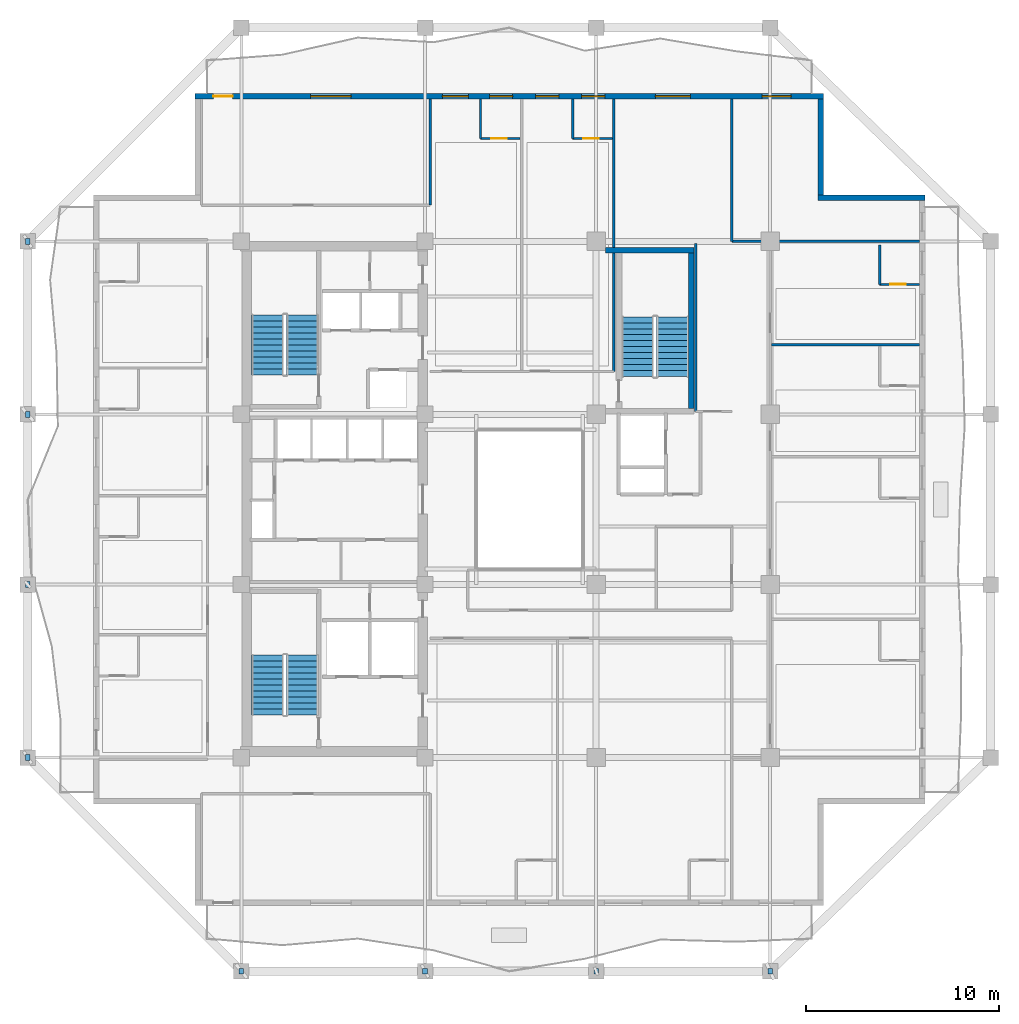
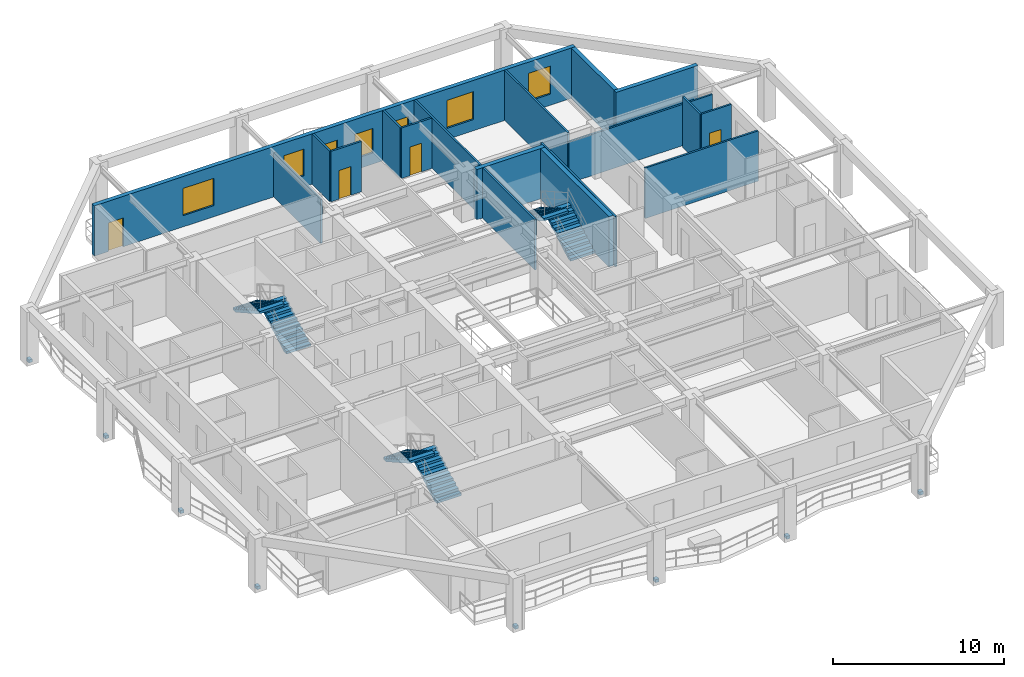
# One storey, part 7 of 13: 17 walls, 8 discrete accessories, 7 windows, 6 stair flights, 4 doors, 11 openings, 3 elements without a shape of their own.
"""IFC4 building model written with IfcOpenShell, lengths in metres."""

from ifc_helpers import new_model, si_unit, direction, frame, frame_2d, origin, origin_2d, place, context, subcontext, project, spatial, polyline, rectangle, outline, extrude, material, layer, layer_set, type_object, element, fill, aggregate, save


model = new_model("IFC4")

# Units and contexts
model_context = context("Model", 3, precision=1e-05, world=origin(), true_north=direction((0.0, 1.0)))
body_context = subcontext(model_context, "Body", "Model", "MODEL_VIEW")
ifc_project = project(units=[si_unit("LENGTHUNIT", "METRE"), si_unit("AREAUNIT", "SQUARE_METRE"), si_unit("VOLUMEUNIT", "CUBIC_METRE"), si_unit("PLANEANGLEUNIT", "RADIAN"), si_unit("MASSUNIT", "GRAM", prefix="KILO")], contexts=[model_context])

# Site, building, storey
site_placement = place(None, origin())
site = spatial("IfcSite", under=ifc_project, at=site_placement, CompositionType="ELEMENT")
building_placement = place(site_placement, origin())
building = spatial("IfcBuilding", under=site, at=building_placement, Name="Kundavana Baori Tower", CompositionType="ELEMENT")
storey_placement = place(building_placement, frame((0.0, 0.0, 165.60009765625)))
storey = spatial("IfcBuildingStorey", under=building, at=storey_placement, Name="L40", CompositionType="ELEMENT", Elevation=165.60009765625)

# Walls
ifc_material_1 = material(Name="Red-Buff Dholpur Sandstone Cladding on Concrete C40/50", Category="masonry")
ifc_layer_1 = layer(ifc_material_1, 0.280029296875, Name="WL-EXT-SAND-280")
ifc_layer_set_1 = layer_set([ifc_layer_1], Name="Red-Buff Dholpur Sandstone Cladding on Concrete C40/50")
wall_type_1 = type_object("IfcWallType", Name="WL-EXT-SAND-280", PredefinedType="STANDARD", material=ifc_layer_set_1)
wall_1_placement = place(storey_placement, frame((50.800048828125, 44.2099609375, 0.0), z_axis=(0.0, 0.0, 1.0), x_axis=(-1.0, 0.0, 0.0)))
element("IfcWall", 1, at=wall_1_placement, inside=storey, type_object=wall_type_1, Name="L40 Exterior Insulated Facade Wall 05", PredefinedType="STANDARD", context=body_context, shape_type="SweptSolid", body=[
    extrude(rectangle(XDim=5.530029296875, YDim=0.280029296875, at=frame_2d((2.76513671875, 0.0))), origin(), (0.0, 0.0, 1.0), 3.599853515625),
])
wall_2_placement = place(storey_placement, frame((45.409912109375, 44.35009765625, 0.0), z_axis=(0.0, 0.0, 1.0), x_axis=(0.0, 1.0, 0.0)))
element("IfcWall", 2, at=wall_2_placement, inside=storey, type_object=wall_type_1, Name="L40 Exterior Insulated Facade Wall 06", PredefinedType="STANDARD", context=body_context, shape_type="SweptSolid", body=[
    extrude(rectangle(XDim=4.969970703125, YDim=0.280029296875, at=frame_2d((2.48486328125, 0.0))), origin(), (0.0, 0.0, 1.0), 3.599853515625),
])

# Wall, openings, door, windows
wall_3_placement = place(storey_placement, frame((45.550048828125, 49.4599609375, 0.0), z_axis=(0.0, 0.0, 1.0), x_axis=(-1.0, 0.0, 0.0)))
wall_3 = element("IfcWall", 3, at=wall_3_placement, inside=storey, type_object=wall_type_1, Name="L40 Exterior Insulated Facade Wall 07", PredefinedType="STANDARD", context=body_context, shape_type="SweptSolid", body=[
    extrude(rectangle(XDim=32.5, YDim=0.280029296875, at=frame_2d((16.25, 0.0))), origin(), (0.0, 0.0, 1.0), 3.599853515625),
])
opening_1_placement = place(wall_3_placement, frame((30.550048828125, 0.0, 0.0)))
opening_1 = element("IfcOpeningElement", 4, at=opening_1_placement, cuts=wall_3, Name="Opening BD-1", PredefinedType="OPENING", context=body_context, shape_type="SweptSolid", body=[
    extrude(rectangle(XDim=1.0, YDim=2.050048828125, at=frame_2d((0.5, 1.02490234375))), frame((0.0, 0.14990234375, 0.0), z_axis=(0.0, -1.0, 0.0), x_axis=(1.0, 0.0, 0.0)), (0.0, 0.0, 1.0), 0.300048828125),
])
opening_2_placement = place(wall_3_placement, frame((24.419921875, 0.0, 0.800048828125)))
opening_2 = element("IfcOpeningElement", 5, at=opening_2_placement, cuts=wall_3, Name="Opening W-05", PredefinedType="OPENING", context=body_context, shape_type="SweptSolid", body=[
    extrude(rectangle(XDim=2.10009765625, YDim=1.949951171875, at=frame_2d((1.050048828125, 0.97509765625))), frame((0.0, 0.14990234375, 0.0), z_axis=(0.0, -1.0, 0.0), x_axis=(1.0, 0.0, 0.0)), (0.0, 0.0, 1.0), 0.300048828125),
])
opening_3_placement = place(wall_3_placement, frame((18.35498046875, 0.0, 0.800048828125)))
opening_3 = element("IfcOpeningElement", 6, at=opening_3_placement, cuts=wall_3, Name="Opening W-07", PredefinedType="OPENING", context=body_context, shape_type="SweptSolid", body=[
    extrude(rectangle(XDim=1.35009765625, YDim=1.89990234375, at=frame_2d((0.675048828125, 0.949951171875))), frame((0.0, 0.14990234375, 0.0), z_axis=(0.0, -1.0, 0.0), x_axis=(1.0, 0.0, 0.0)), (0.0, 0.0, 1.0), 0.300048828125),
])
opening_4_placement = place(wall_3_placement, frame((16.06494140625, 0.0, 0.800048828125)))
opening_4 = element("IfcOpeningElement", 7, at=opening_4_placement, cuts=wall_3, Name="Opening W-03", PredefinedType="OPENING", context=body_context, shape_type="SweptSolid", body=[
    extrude(rectangle(XDim=1.199951171875, YDim=1.75, at=frame_2d((0.60009765625, 0.875))), frame((0.0, 0.14990234375, 0.0), z_axis=(0.0, -1.0, 0.0), x_axis=(1.0, 0.0, 0.0)), (0.0, 0.0, 1.0), 0.300048828125),
])
opening_5_placement = place(wall_3_placement, frame((13.679931640625, 0.0, 0.800048828125)))
opening_5 = element("IfcOpeningElement", 8, at=opening_5_placement, cuts=wall_3, Name="Opening W-03", PredefinedType="OPENING", context=body_context, shape_type="SweptSolid", body=[
    extrude(rectangle(XDim=1.199951171875, YDim=1.75, at=frame_2d((0.60009765625, 0.875))), frame((0.0, 0.14990234375, 0.0), z_axis=(0.0, -1.0, 0.0), x_axis=(1.0, 0.0, 0.0)), (0.0, 0.0, 1.0), 0.300048828125),
])
opening_6_placement = place(wall_3_placement, frame((11.294921875, 0.0, 0.800048828125)))
opening_6 = element("IfcOpeningElement", 9, at=opening_6_placement, cuts=wall_3, Name="Opening W-03", PredefinedType="OPENING", context=body_context, shape_type="SweptSolid", body=[
    extrude(rectangle(XDim=1.199951171875, YDim=1.75, at=frame_2d((0.60009765625, 0.875))), frame((0.0, 0.14990234375, 0.0), z_axis=(0.0, -1.0, 0.0), x_axis=(1.0, 0.0, 0.0)), (0.0, 0.0, 1.0), 0.300048828125),
])
opening_7_placement = place(wall_3_placement, frame((6.8798828125, 0.0, 0.800048828125)))
opening_7 = element("IfcOpeningElement", 10, at=opening_7_placement, cuts=wall_3, Name="Opening W-01", PredefinedType="OPENING", context=body_context, shape_type="SweptSolid", body=[
    extrude(rectangle(XDim=1.800048828125, YDim=2.0, at=frame_2d((0.89990234375, 1.0))), frame((0.0, 0.14990234375, 0.0), z_axis=(0.0, -1.0, 0.0), x_axis=(1.0, 0.0, 0.0)), (0.0, 0.0, 1.0), 0.300048828125),
])
opening_8_placement = place(wall_3_placement, frame((1.669921875, 0.0, 0.800048828125)))
opening_8 = element("IfcOpeningElement", 11, at=opening_8_placement, cuts=wall_3, Name="Opening W-02", PredefinedType="OPENING", context=body_context, shape_type="SweptSolid", body=[
    extrude(rectangle(XDim=1.5, YDim=2.0, at=frame_2d((0.75, 1.0))), frame((0.0, 0.14990234375, 0.0), z_axis=(0.0, -1.0, 0.0), x_axis=(1.0, 0.0, 0.0)), (0.0, 0.0, 1.0), 0.300048828125),
])
ifc_material_2 = material(Name="Architectural Patinated Bronze Metalwork")
door_type_1 = type_object("IfcDoorType", Name="DR-EXT-LOG-1000", OperationType="NOTDEFINED", PredefinedType="DOOR", material=ifc_material_2)
door_1_placement = place(opening_1_placement, frame((1.0, 0.0, 0.0), z_axis=(0.0, 0.0, 1.0), x_axis=(-1.0, 0.0, 0.0)))
door_1 = element("IfcDoor", 12, at=door_1_placement, inside=storey, type_object=door_type_1, Name="L40 Loggia Balcony Access Door N", OperationType="SINGLE_SWING_LEFT", OverallHeight=2.050048828125, OverallWidth=1.0, PredefinedType="DOOR", context=body_context, shape_type="SweptSolid", body=[
    extrude(rectangle(XDim=1.0, YDim=2.050048828125, at=frame_2d((0.5, 1.02490234375))), frame((0.0, 0.02490234375, 0.0), z_axis=(0.0, -1.0, 0.0), x_axis=(1.0, 0.0, 0.0)), (0.0, 0.0, 1.0), 0.050048828125),
])
fill(opening_1, door_1)
ifc_material_3 = material(Name="Double-Glazed Solar-Control Low-E Insulated Glass", Category="glass")
window_type_1 = type_object("IfcWindowType", Name="WIN-LOG-1200x1750", PartitioningType="SINGLE_PANEL", PredefinedType="WINDOW", material=ifc_material_3)
window_1_placement = place(opening_4_placement, origin())
window_1 = element("IfcWindow", 13, at=window_1_placement, inside=storey, type_object=window_type_1, Name="L40 Recessed Loggia Window N-3", OverallHeight=1.75, OverallWidth=1.199951171875, PartitioningType="SINGLE_PANEL", PredefinedType="WINDOW", context=body_context, shape_type="SweptSolid", body=[
    extrude(rectangle(XDim=1.199951171875, YDim=1.75, at=frame_2d((0.60009765625, 0.875))), frame((0.0, 0.030029296875, 0.0), z_axis=(0.0, -1.0, 0.0), x_axis=(1.0, 0.0, 0.0)), (0.0, 0.0, 1.0), 0.06005859375),
])
fill(opening_4, window_1)
window_2_placement = place(opening_5_placement, origin())
window_2 = element("IfcWindow", 14, at=window_2_placement, inside=storey, type_object=window_type_1, Name="L40 Recessed Loggia Window N-4", OverallHeight=1.75, OverallWidth=1.199951171875, PartitioningType="SINGLE_PANEL", PredefinedType="WINDOW", context=body_context, shape_type="SweptSolid", body=[
    extrude(rectangle(XDim=1.199951171875, YDim=1.75, at=frame_2d((0.60009765625, 0.875))), frame((0.0, 0.030029296875, 0.0), z_axis=(0.0, -1.0, 0.0), x_axis=(1.0, 0.0, 0.0)), (0.0, 0.0, 1.0), 0.06005859375),
])
fill(opening_5, window_2)
window_3_placement = place(opening_6_placement, origin())
window_3 = element("IfcWindow", 15, at=window_3_placement, inside=storey, type_object=window_type_1, Name="L40 Recessed Loggia Window N-5", OverallHeight=1.75, OverallWidth=1.199951171875, PartitioningType="SINGLE_PANEL", PredefinedType="WINDOW", context=body_context, shape_type="SweptSolid", body=[
    extrude(rectangle(XDim=1.199951171875, YDim=1.75, at=frame_2d((0.60009765625, 0.875))), frame((0.0, 0.030029296875, 0.0), z_axis=(0.0, -1.0, 0.0), x_axis=(1.0, 0.0, 0.0)), (0.0, 0.0, 1.0), 0.06005859375),
])
fill(opening_6, window_3)
ifc_material_4 = material(Name="Double-Glazed Solar-Control Low-E Insulated Glass", Category="glass")
window_type_2 = type_object("IfcWindowType", Name="WIN-LOG-1350x1900", PartitioningType="SINGLE_PANEL", PredefinedType="WINDOW", material=ifc_material_4)
window_4_placement = place(opening_3_placement, origin())
window_4 = element("IfcWindow", 16, at=window_4_placement, inside=storey, type_object=window_type_2, Name="L40 Recessed Loggia Window N-2", OverallHeight=1.89990234375, OverallWidth=1.35009765625, PartitioningType="SINGLE_PANEL", PredefinedType="WINDOW", context=body_context, shape_type="SweptSolid", body=[
    extrude(rectangle(XDim=1.35009765625, YDim=1.89990234375, at=frame_2d((0.675048828125, 0.949951171875))), frame((0.0, 0.030029296875, 0.0), z_axis=(0.0, -1.0, 0.0), x_axis=(1.0, 0.0, 0.0)), (0.0, 0.0, 1.0), 0.06005859375),
])
fill(opening_3, window_4)
ifc_material_5 = material(Name="Double-Glazed Solar-Control Low-E Insulated Glass", Category="glass")
window_type_3 = type_object("IfcWindowType", Name="WIN-LOG-1500x2000", PartitioningType="SINGLE_PANEL", PredefinedType="WINDOW", material=ifc_material_5)
window_5_placement = place(opening_8_placement, origin())
window_5 = element("IfcWindow", 17, at=window_5_placement, inside=storey, type_object=window_type_3, Name="L40 Recessed Loggia Window N-7", OverallHeight=2.0, OverallWidth=1.5, PartitioningType="SINGLE_PANEL", PredefinedType="WINDOW", context=body_context, shape_type="SweptSolid", body=[
    extrude(rectangle(XDim=1.5, YDim=2.0, at=frame_2d((0.75, 1.0))), frame((0.0, 0.030029296875, 0.0), z_axis=(0.0, -1.0, 0.0), x_axis=(1.0, 0.0, 0.0)), (0.0, 0.0, 1.0), 0.06005859375),
])
fill(opening_8, window_5)
ifc_material_6 = material(Name="Double-Glazed Solar-Control Low-E Insulated Glass", Category="glass")
window_type_4 = type_object("IfcWindowType", Name="WIN-LOG-1800x2000", PartitioningType="SINGLE_PANEL", PredefinedType="WINDOW", material=ifc_material_6)
window_6_placement = place(opening_7_placement, origin())
window_6 = element("IfcWindow", 18, at=window_6_placement, inside=storey, type_object=window_type_4, Name="L40 Recessed Loggia Window N-6", OverallHeight=2.0, OverallWidth=1.800048828125, PartitioningType="SINGLE_PANEL", PredefinedType="WINDOW", context=body_context, shape_type="SweptSolid", body=[
    extrude(rectangle(XDim=1.800048828125, YDim=2.0, at=frame_2d((0.89990234375, 1.0))), frame((0.0, 0.030029296875, 0.0), z_axis=(0.0, -1.0, 0.0), x_axis=(1.0, 0.0, 0.0)), (0.0, 0.0, 1.0), 0.06005859375),
])
fill(opening_7, window_6)
ifc_material_7 = material(Name="Double-Glazed Solar-Control Low-E Insulated Glass", Category="glass")
window_type_5 = type_object("IfcWindowType", Name="WIN-LOG-2100x1950", PartitioningType="SINGLE_PANEL", PredefinedType="WINDOW", material=ifc_material_7)
window_7_placement = place(opening_2_placement, origin())
window_7 = element("IfcWindow", 19, at=window_7_placement, inside=storey, type_object=window_type_5, Name="L40 Recessed Loggia Window N-1", OverallHeight=1.949951171875, OverallWidth=2.10009765625, PartitioningType="SINGLE_PANEL", PredefinedType="WINDOW", context=body_context, shape_type="SweptSolid", body=[
    extrude(rectangle(XDim=2.10009765625, YDim=1.949951171875, at=frame_2d((1.050048828125, 0.97509765625))), frame((0.0, 0.030029296875, 0.0), z_axis=(0.0, -1.0, 0.0), x_axis=(1.0, 0.0, 0.0)), (0.0, 0.0, 1.0), 0.06005859375),
])
fill(opening_2, window_7)

# Walls
ifc_material_8 = material(Name="Concrete C50/60", Category="concrete")
ifc_layer_2 = layer(ifc_material_8, 0.300048828125, Name="WL-ST3-300")
ifc_layer_set_2 = layer_set([ifc_layer_2], Name="Concrete C50/60")
wall_type_2 = type_object("IfcWallType", Name="WL-ST3-300", PredefinedType="SHEAR", material=ifc_layer_set_2)
wall_4_placement = place(storey_placement, frame((34.27490234375, 41.489990234375, 0.0), z_axis=(0.0, 0.0, 1.0), x_axis=(1.0, 0.0, 0.0)))
element("IfcWall", 20, at=wall_4_placement, inside=storey, type_object=wall_type_2, Name="L40 Stair ST3 North Shear Wall", PredefinedType="SHEAR", context=body_context, shape_type="SweptSolid", body=[
    extrude(rectangle(XDim=4.59521484375, YDim=0.300048828125, at=frame_2d((2.297607421875, 0.0))), origin(), (0.0, 0.0, 1.0), 3.599853515625),
])
wall_5_placement = place(storey_placement, frame((38.719970703125, 33.31005859375, 0.0), z_axis=(0.0, 0.0, 1.0), x_axis=(0.0, 1.0, 0.0)))
element("IfcWall", 21, at=wall_5_placement, inside=storey, type_object=wall_type_2, Name="L40 Stair ST3 East Shear Wall", PredefinedType="SHEAR", context=body_context, shape_type="SweptSolid", body=[
    extrude(rectangle(XDim=8.030029296875, YDim=0.300048828125, at=frame_2d((4.01513671875, 0.0))), origin(), (0.0, 0.0, 1.0), 3.599853515625),
])
ifc_material_9 = material(Name="Autoclaved Aerated Concrete Blockwork Masonry", Category="masonry")
ifc_layer_3 = layer(ifc_material_9, 0.125, Name="WL-WET-120")
ifc_layer_set_3 = layer_set([ifc_layer_3], Name="Autoclaved Aerated Concrete Blockwork Masonry")
wall_type_3 = type_object("IfcWallType", Name="WL-WET-120", PredefinedType="PLUMBINGWALL", material=ifc_layer_set_3)
wall_6_placement = place(storey_placement, frame((40.820068359375, 41.949951171875, 0.0), z_axis=(0.0, 0.0, 1.0), x_axis=(1.0, 0.0, 0.0)))
element("IfcWall", 22, at=wall_6_placement, inside=storey, type_object=wall_type_3, Name="WL-L40-HEN", PredefinedType="PLUMBINGWALL", context=body_context, shape_type="SweptSolid", body=[
    extrude(rectangle(XDim=9.699951171875, YDim=0.125, at=frame_2d((4.85009765625, 0.0))), origin(), (0.0, 0.0, 1.0), 2.949951171875),
])
wall_7_placement = place(storey_placement, frame((25.219970703125, 43.820068359375, 0.0), z_axis=(0.0, 0.0, 1.0), x_axis=(0.0, 1.0, 0.0)))
element("IfcWall", 23, at=wall_7_placement, inside=storey, type_object=wall_type_3, Name="WL-L40-HNCE", PredefinedType="PLUMBINGWALL", context=body_context, shape_type="SweptSolid", body=[
    extrude(rectangle(XDim=5.5, YDim=0.125, at=frame_2d((2.75, 0.0))), origin(), (0.0, 0.0, 1.0), 3.14990234375),
])
wall_8_placement = place(storey_placement, frame((42.8798828125, 36.60009765625, 0.0), z_axis=(0.0, 0.0, 1.0), x_axis=(1.0, 0.0, 0.0)))
element("IfcWall", 24, at=wall_8_placement, inside=storey, type_object=wall_type_3, Name="WL-L40-HED3", PredefinedType="PLUMBINGWALL", context=body_context, shape_type="SweptSolid", body=[
    extrude(rectangle(XDim=7.64013671875, YDim=0.125, at=frame_2d((3.820068359375, 0.0))), origin(), (0.0, 0.0, 1.0), 3.599853515625),
])
wall_9_placement = place(storey_placement, frame((48.469970703125, 39.719970703125, 0.0), z_axis=(0.0, 0.0, 1.0), x_axis=(0.0, 1.0, 0.0)))
element("IfcWall", 25, at=wall_9_placement, inside=storey, type_object=wall_type_3, Name="WL-L40-HK-E4-BW", PredefinedType="PLUMBINGWALL", context=body_context, shape_type="SweptSolid", body=[
    extrude(rectangle(XDim=2.050048828125, YDim=0.125, at=frame_2d((1.02490234375, 0.0))), origin(), (0.0, 0.0, 1.0), 3.599853515625),
])

# Wall, opening, door
wall_10_placement = place(storey_placement, frame((48.469970703125, 39.719970703125, 0.0), z_axis=(0.0, 0.0, 1.0), x_axis=(1.0, 0.0, 0.0)))
wall_10 = element("IfcWall", 26, at=wall_10_placement, inside=storey, type_object=wall_type_3, Name="WL-L40-HK-E4-BS", PredefinedType="PLUMBINGWALL", context=body_context, shape_type="SweptSolid", body=[
    extrude(rectangle(XDim=2.050048828125, YDim=0.125, at=frame_2d((1.02490234375, 0.0))), origin(), (0.0, 0.0, 1.0), 3.599853515625),
])
opening_9_placement = place(wall_10_placement, frame((0.550048828125, 0.0, 0.0)))
opening_9 = element("IfcOpeningElement", 27, at=opening_9_placement, cuts=wall_10, Name="Opening WD-080", PredefinedType="OPENING", context=body_context, shape_type="SweptSolid", body=[
    extrude(rectangle(XDim=0.800048828125, YDim=2.050048828125, at=frame_2d((0.39990234375, 1.02490234375))), frame((0.0, 0.072509765625, 0.0), z_axis=(0.0, -1.0, 0.0), x_axis=(1.0, 0.0, 0.0)), (0.0, 0.0, 1.0), 0.14501953125),
])
ifc_material_10 = material(Name="Engineered Teak Solid-Core Timber Veneer", Category="wood")
door_type_2 = type_object("IfcDoorType", Name="DR-WET-800", OperationType="NOTDEFINED", PredefinedType="DOOR", material=ifc_material_10)
door_2_placement = place(opening_9_placement, frame((0.800048828125, 0.0, 0.0), z_axis=(0.0, 0.0, 1.0), x_axis=(-1.0, 0.0, 0.0)))
door_2 = element("IfcDoor", 28, at=door_2_placement, inside=storey, type_object=door_type_2, Name="DR-L40-HK-E4-ENS", OperationType="SINGLE_SWING_LEFT", OverallHeight=2.050048828125, OverallWidth=0.800048828125, PredefinedType="DOOR", context=body_context, shape_type="SweptSolid", body=[
    extrude(rectangle(XDim=0.800048828125, YDim=2.050048828125, at=frame_2d((0.39990234375, 1.02490234375))), frame((0.0, 0.02490234375, 0.0), z_axis=(0.0, -1.0, 0.0), x_axis=(1.0, 0.0, 0.0)), (0.0, 0.0, 1.0), 0.050048828125),
])
fill(opening_9, door_2)

# Walls
wall_11_placement = place(storey_placement, frame((34.719970703125, 35.219970703125, 0.0), z_axis=(0.0, 0.0, 1.0), x_axis=(0.0, 1.0, 0.0)))
element("IfcWall", 29, at=wall_11_placement, inside=storey, type_object=wall_type_3, Name="WL-L40-HNEND", PredefinedType="PLUMBINGWALL", context=body_context, shape_type="SweptSolid", body=[
    extrude(rectangle(XDim=14.10009765625, YDim=0.125, at=frame_2d((7.050048828125, 0.0))), origin(), (0.0, 0.0, 1.0), 3.599853515625),
])
wall_12_placement = place(storey_placement, frame((27.820068359375, 47.27001953125, 0.0), z_axis=(0.0, 0.0, 1.0), x_axis=(0.0, 1.0, 0.0)))
element("IfcWall", 30, at=wall_12_placement, inside=storey, type_object=wall_type_3, Name="WL-L40-HK-N1-BW", PredefinedType="PLUMBINGWALL", context=body_context, shape_type="SweptSolid", body=[
    extrude(rectangle(XDim=2.050048828125, YDim=0.125, at=frame_2d((1.02490234375, 0.0))), origin(), (0.0, 0.0, 1.0), 3.599853515625),
])

# Wall, opening, door
wall_13_placement = place(storey_placement, frame((27.820068359375, 47.27001953125, 0.0), z_axis=(0.0, 0.0, 1.0), x_axis=(1.0, 0.0, 0.0)))
wall_13 = element("IfcWall", 31, at=wall_13_placement, inside=storey, type_object=wall_type_3, Name="WL-L40-HK-N1-BS", PredefinedType="PLUMBINGWALL", context=body_context, shape_type="SweptSolid", body=[
    extrude(rectangle(XDim=2.050048828125, YDim=0.125, at=frame_2d((1.02490234375, 0.0))), origin(), (0.0, 0.0, 1.0), 3.599853515625),
])
opening_10_placement = place(wall_13_placement, frame((0.550048828125, 0.0, 0.0)))
opening_10 = element("IfcOpeningElement", 32, at=opening_10_placement, cuts=wall_13, Name="Opening WD-080", PredefinedType="OPENING", context=body_context, shape_type="SweptSolid", body=[
    extrude(rectangle(XDim=0.800048828125, YDim=2.050048828125, at=frame_2d((0.39990234375, 1.02490234375))), frame((0.0, 0.072509765625, 0.0), z_axis=(0.0, -1.0, 0.0), x_axis=(1.0, 0.0, 0.0)), (0.0, 0.0, 1.0), 0.14501953125),
])
door_3_placement = place(opening_10_placement, frame((0.800048828125, 0.0, 0.0), z_axis=(0.0, 0.0, 1.0), x_axis=(-1.0, 0.0, 0.0)))
door_3 = element("IfcDoor", 33, at=door_3_placement, inside=storey, type_object=door_type_2, Name="DR-L40-HK-N1-ENS", OperationType="SINGLE_SWING_LEFT", OverallHeight=2.050048828125, OverallWidth=0.800048828125, PredefinedType="DOOR", context=body_context, shape_type="SweptSolid", body=[
    extrude(rectangle(XDim=0.800048828125, YDim=2.050048828125, at=frame_2d((0.39990234375, 1.02490234375))), frame((0.0, 0.02490234375, 0.0), z_axis=(0.0, -1.0, 0.0), x_axis=(1.0, 0.0, 0.0)), (0.0, 0.0, 1.0), 0.050048828125),
])
fill(opening_10, door_3)

# Wall
wall_14_placement = place(storey_placement, frame((32.590087890625, 47.27001953125, 0.0), z_axis=(0.0, 0.0, 1.0), x_axis=(0.0, 1.0, 0.0)))
element("IfcWall", 34, at=wall_14_placement, inside=storey, type_object=wall_type_3, Name="WL-L40-HK-N2-BW", PredefinedType="PLUMBINGWALL", context=body_context, shape_type="SweptSolid", body=[
    extrude(rectangle(XDim=2.050048828125, YDim=0.125, at=frame_2d((1.02490234375, 0.0))), origin(), (0.0, 0.0, 1.0), 3.599853515625),
])

# Wall, opening, door
wall_15_placement = place(storey_placement, frame((32.590087890625, 47.27001953125, 0.0), z_axis=(0.0, 0.0, 1.0), x_axis=(1.0, 0.0, 0.0)))
wall_15 = element("IfcWall", 35, at=wall_15_placement, inside=storey, type_object=wall_type_3, Name="WL-L40-HK-N2-BS", PredefinedType="PLUMBINGWALL", context=body_context, shape_type="SweptSolid", body=[
    extrude(rectangle(XDim=2.0498046875, YDim=0.125, at=frame_2d((1.02490234375, 0.0))), origin(), (0.0, 0.0, 1.0), 3.599853515625),
])
opening_11_placement = place(wall_15_placement, frame((0.550048828125, 0.0, 0.0)))
opening_11 = element("IfcOpeningElement", 36, at=opening_11_placement, cuts=wall_15, Name="Opening WD-080", PredefinedType="OPENING", context=body_context, shape_type="SweptSolid", body=[
    extrude(rectangle(XDim=0.800048828125, YDim=2.050048828125, at=frame_2d((0.39990234375, 1.02490234375))), frame((0.0, 0.072509765625, 0.0), z_axis=(0.0, -1.0, 0.0), x_axis=(1.0, 0.0, 0.0)), (0.0, 0.0, 1.0), 0.14501953125),
])
door_4_placement = place(opening_11_placement, frame((0.800048828125, 0.0, 0.0), z_axis=(0.0, 0.0, 1.0), x_axis=(-1.0, 0.0, 0.0)))
door_4 = element("IfcDoor", 37, at=door_4_placement, inside=storey, type_object=door_type_2, Name="DR-L40-HK-N2-ENS", OperationType="SINGLE_SWING_LEFT", OverallHeight=2.050048828125, OverallWidth=0.800048828125, PredefinedType="DOOR", context=body_context, shape_type="SweptSolid", body=[
    extrude(rectangle(XDim=0.800048828125, YDim=2.050048828125, at=frame_2d((0.39990234375, 1.02490234375))), frame((0.0, 0.02490234375, 0.0), z_axis=(0.0, -1.0, 0.0), x_axis=(1.0, 0.0, 0.0)), (0.0, 0.0, 1.0), 0.050048828125),
])
fill(opening_11, door_4)

# Walls
wall_16_placement = place(storey_placement, frame((38.949951171875, 33.14990234375, 0.0), z_axis=(0.0, 0.0, 1.0), x_axis=(0.0, 1.0, 0.0)))
element("IfcWall", 38, at=wall_16_placement, inside=storey, type_object=wall_type_3, Name="WL-L40-HNEW", PredefinedType="PLUMBINGWALL", context=body_context, shape_type="SweptSolid", body=[
    extrude(rectangle(XDim=8.7001953125, YDim=0.125, at=frame_2d((4.35009765625, 0.0))), origin(), (0.0, 0.0, 1.0), 3.599853515625),
])
wall_17_placement = place(storey_placement, frame((40.820068359375, 41.949951171875, 0.0), z_axis=(0.0, 0.0, 1.0), x_axis=(0.0, 1.0, 0.0)))
element("IfcWall", 39, at=wall_17_placement, inside=storey, type_object=wall_type_3, Name="WL-L40-HNEE", PredefinedType="PLUMBINGWALL", context=body_context, shape_type="SweptSolid", body=[
    extrude(rectangle(XDim=7.3701171875, YDim=0.125, at=frame_2d((3.68505859375, 0.0))), origin(), (0.0, 0.0, 1.0), 3.599853515625),
])

# Stair, stair flights
ifc_material_11 = material(Name="Concrete C40/50", Category="concrete")
stair_type = type_object("IfcStairType", Name="STR-DOG-1650", PredefinedType="HALF_TURN_STAIR", material=ifc_material_11)
stair_1_placement = place(storey_placement, origin())
stair_1 = element("IfcStair", 40, at=stair_1_placement, inside=storey, type_object=stair_type, Name="L40 Protected Exit Stair ST1", PredefinedType="HALF_TURN_STAIR")
ifc_material_12 = material(Name="Concrete C40/50", Category="concrete")
stair_flight_type = type_object("IfcStairFlightType", Name="SFL-RC-1650", PredefinedType="STRAIGHT", material=ifc_material_12)
stair_flight_1_placement = place(storey_placement, frame((18.614990234375, 17.449951171875, 0.0), z_axis=(0.0, 0.0, 1.0), x_axis=(0.0, 1.0, 0.0)))
stair_flight_1 = element("IfcStairFlight", 41, at=stair_flight_1_placement, type_object=stair_flight_type, Name="ST1 flight 1", NumberOfRisers=11, NumberOfTreads=10, PredefinedType="STRAIGHT", RiserHeight=0.175, TreadLength=0.31, context=body_context, shape_type="SweptSolid", body=[
    extrude(outline(polyline([(0.0, 0.0), (0.0, 0.175048828125), (0.31005859375, 0.175048828125), (0.31005859375, 0.35009765625), (0.6201171875, 0.35009765625), (0.6201171875, 0.52490234375), (0.929931640625, 0.52490234375), (0.929931640625, 0.699951171875), (1.239990234375, 0.699951171875), (1.239990234375, 0.875), (1.550048828125, 0.875), (1.550048828125, 1.050048828125), (1.860107421875, 1.050048828125), (1.860107421875, 1.22509765625), (2.169921875, 1.22509765625), (2.169921875, 1.39990234375), (2.47998046875, 1.39990234375), (2.47998046875, 1.574951171875), (2.7900390625, 1.574951171875), (2.7900390625, 1.75), (3.10009765625, 1.75), (3.10009765625, 1.925048828125), (3.10009765625, 1.577880859375), (0.304931640625, 0.0), (0.0, 0.0)])), frame((0.0, 0.824951171875, 0.0), z_axis=(0.0, -1.0, 0.0), x_axis=(1.0, 0.0, 0.0)), (0.0, 0.0, 1.0), 1.64990234375),
])
stair_flight_2_placement = place(storey_placement, frame((16.804931640625, 20.550048828125, 1.9248046875), z_axis=(0.0, 0.0, 1.0), x_axis=(0.0, -1.0, 0.0)))
stair_flight_2 = element("IfcStairFlight", 42, at=stair_flight_2_placement, type_object=stair_flight_type, Name="ST1 flight 2", NumberOfRisers=11, NumberOfTreads=10, PredefinedType="STRAIGHT", RiserHeight=0.175, TreadLength=0.31, context=body_context, shape_type="SweptSolid", body=[
    extrude(outline(polyline([(0.0, 0.0), (0.0, 0.175048828125), (0.31005859375, 0.175048828125), (0.31005859375, 0.35009765625), (0.6201171875, 0.35009765625), (0.6201171875, 0.52490234375), (0.929931640625, 0.52490234375), (0.929931640625, 0.699951171875), (1.239990234375, 0.699951171875), (1.239990234375, 0.875), (1.550048828125, 0.875), (1.550048828125, 1.050048828125), (1.860107421875, 1.050048828125), (1.860107421875, 1.22509765625), (2.169921875, 1.22509765625), (2.169921875, 1.39990234375), (2.47998046875, 1.39990234375), (2.47998046875, 1.574951171875), (2.7900390625, 1.574951171875), (2.7900390625, 1.75), (3.10009765625, 1.75), (3.10009765625, 1.925048828125), (3.10009765625, 1.577880859375), (0.304931640625, 0.0), (0.0, 0.0)])), frame((0.0, 0.824951171875, 0.0), z_axis=(0.0, -1.0, 0.0), x_axis=(1.0, 0.0, 0.0)), (0.0, 0.0, 1.0), 1.64990234375),
])
aggregate(stair_1, [stair_flight_1, stair_flight_2])

stair_2_placement = place(storey_placement, origin())
stair_2 = element("IfcStair", 43, at=stair_2_placement, inside=storey, type_object=stair_type, Name="L40 Protected Exit Stair ST2", PredefinedType="HALF_TURN_STAIR")
stair_flight_3_placement = place(storey_placement, frame((18.614990234375, 35.050048828125, 0.0), z_axis=(0.0, 0.0, 1.0), x_axis=(0.0, 1.0, 0.0)))
stair_flight_3 = element("IfcStairFlight", 44, at=stair_flight_3_placement, type_object=stair_flight_type, Name="ST2 flight 1", NumberOfRisers=11, NumberOfTreads=10, PredefinedType="STRAIGHT", RiserHeight=0.175, TreadLength=0.31, context=body_context, shape_type="SweptSolid", body=[
    extrude(outline(polyline([(0.0, 0.0), (0.0, 0.175048828125), (0.31005859375, 0.175048828125), (0.31005859375, 0.35009765625), (0.6201171875, 0.35009765625), (0.6201171875, 0.52490234375), (0.929931640625, 0.52490234375), (0.929931640625, 0.699951171875), (1.239990234375, 0.699951171875), (1.239990234375, 0.875), (1.550048828125, 0.875), (1.550048828125, 1.050048828125), (1.860107421875, 1.050048828125), (1.860107421875, 1.22509765625), (2.169921875, 1.22509765625), (2.169921875, 1.39990234375), (2.47998046875, 1.39990234375), (2.47998046875, 1.574951171875), (2.7900390625, 1.574951171875), (2.7900390625, 1.75), (3.10009765625, 1.75), (3.10009765625, 1.925048828125), (3.10009765625, 1.577880859375), (0.304931640625, 0.0), (0.0, 0.0)])), frame((0.0, 0.824951171875, 0.0), z_axis=(0.0, -1.0, 0.0), x_axis=(1.0, 0.0, 0.0)), (0.0, 0.0, 1.0), 1.64990234375),
])
stair_flight_4_placement = place(storey_placement, frame((16.804931640625, 38.14990234375, 1.9248046875), z_axis=(0.0, 0.0, 1.0), x_axis=(0.0, -1.0, 0.0)))
stair_flight_4 = element("IfcStairFlight", 45, at=stair_flight_4_placement, type_object=stair_flight_type, Name="ST2 flight 2", NumberOfRisers=11, NumberOfTreads=10, PredefinedType="STRAIGHT", RiserHeight=0.175, TreadLength=0.31, context=body_context, shape_type="SweptSolid", body=[
    extrude(outline(polyline([(0.0, 0.0), (0.0, 0.175048828125), (0.31005859375, 0.175048828125), (0.31005859375, 0.35009765625), (0.6201171875, 0.35009765625), (0.6201171875, 0.52490234375), (0.929931640625, 0.52490234375), (0.929931640625, 0.699951171875), (1.239990234375, 0.699951171875), (1.239990234375, 0.875), (1.550048828125, 0.875), (1.550048828125, 1.050048828125), (1.860107421875, 1.050048828125), (1.860107421875, 1.22509765625), (2.169921875, 1.22509765625), (2.169921875, 1.39990234375), (2.47998046875, 1.39990234375), (2.47998046875, 1.574951171875), (2.7900390625, 1.574951171875), (2.7900390625, 1.75), (3.10009765625, 1.75), (3.10009765625, 1.925048828125), (3.10009765625, 1.577880859375), (0.304931640625, 0.0), (0.0, 0.0)])), frame((0.0, 0.824951171875, 0.0), z_axis=(0.0, -1.0, 0.0), x_axis=(1.0, 0.0, 0.0)), (0.0, 0.0, 1.0), 1.64990234375),
])
aggregate(stair_2, [stair_flight_3, stair_flight_4])

stair_3_placement = place(storey_placement, origin())
stair_3 = element("IfcStair", 46, at=stair_3_placement, inside=storey, type_object=stair_type, Name="L40 Protected Exit Stair ST3", PredefinedType="HALF_TURN_STAIR")
stair_flight_5_placement = place(storey_placement, frame((37.7548828125, 34.949951171875, 0.0), z_axis=(0.0, 0.0, 1.0), x_axis=(0.0, 1.0, 0.0)))
stair_flight_5 = element("IfcStairFlight", 47, at=stair_flight_5_placement, type_object=stair_flight_type, Name="ST3 flight 1", NumberOfRisers=11, NumberOfTreads=10, PredefinedType="STRAIGHT", RiserHeight=0.175, TreadLength=0.31, context=body_context, shape_type="SweptSolid", body=[
    extrude(outline(polyline([(0.0, 0.0), (0.0, 0.175048828125), (0.31005859375, 0.175048828125), (0.31005859375, 0.35009765625), (0.6201171875, 0.35009765625), (0.6201171875, 0.52490234375), (0.929931640625, 0.52490234375), (0.929931640625, 0.699951171875), (1.239990234375, 0.699951171875), (1.239990234375, 0.875), (1.550048828125, 0.875), (1.550048828125, 1.050048828125), (1.860107421875, 1.050048828125), (1.860107421875, 1.22509765625), (2.169921875, 1.22509765625), (2.169921875, 1.39990234375), (2.47998046875, 1.39990234375), (2.47998046875, 1.574951171875), (2.7900390625, 1.574951171875), (2.7900390625, 1.75), (3.10009765625, 1.75), (3.10009765625, 1.925048828125), (3.10009765625, 1.577880859375), (0.304931640625, 0.0), (0.0, 0.0)])), frame((0.0, 0.824951171875, 0.0), z_axis=(0.0, -1.0, 0.0), x_axis=(1.0, 0.0, 0.0)), (0.0, 0.0, 1.0), 1.64990234375),
])
stair_flight_6_placement = place(storey_placement, frame((35.945068359375, 38.050048828125, 1.9248046875), z_axis=(0.0, 0.0, 1.0), x_axis=(0.0, -1.0, 0.0)))
stair_flight_6 = element("IfcStairFlight", 48, at=stair_flight_6_placement, type_object=stair_flight_type, Name="ST3 flight 2", NumberOfRisers=11, NumberOfTreads=10, PredefinedType="STRAIGHT", RiserHeight=0.175, TreadLength=0.31, context=body_context, shape_type="SweptSolid", body=[
    extrude(outline(polyline([(0.0, 0.0), (0.0, 0.175048828125), (0.31005859375, 0.175048828125), (0.31005859375, 0.35009765625), (0.6201171875, 0.35009765625), (0.6201171875, 0.52490234375), (0.929931640625, 0.52490234375), (0.929931640625, 0.699951171875), (1.239990234375, 0.699951171875), (1.239990234375, 0.875), (1.550048828125, 0.875), (1.550048828125, 1.050048828125), (1.860107421875, 1.050048828125), (1.860107421875, 1.22509765625), (2.169921875, 1.22509765625), (2.169921875, 1.39990234375), (2.47998046875, 1.39990234375), (2.47998046875, 1.574951171875), (2.7900390625, 1.574951171875), (2.7900390625, 1.75), (3.10009765625, 1.75), (3.10009765625, 1.925048828125), (3.10009765625, 1.577880859375), (0.304931640625, 0.0), (0.0, 0.0)])), frame((0.0, 0.824951171875, 0.0), z_axis=(0.0, -1.0, 0.0), x_axis=(1.0, 0.0, 0.0)), (0.0, 0.0, 1.0), 1.64990234375),
])
aggregate(stair_3, [stair_flight_5, stair_flight_6])

# Discrete accessories
ifc_material_13 = material(Name="Structural Steel S355JR", Category="steel")
discrete_accessory_type = type_object("IfcDiscreteAccessoryType", Name="ACC-BRK-FIN", PredefinedType="BRACKET", material=ifc_material_13)
for number, where, z_axis, x_axis, name in (
    (49, (15.449951171875, 4.199951171875, 0.0), (0.0, 0.0, 1.0), (1.0, 0.0, 0.0), "L40 Stainless Fin Anchor Bracket 1"),
    (50, (24.949951171875, 4.199951171875, 0.0), (0.0, 0.0, 1.0), (1.0, 0.0, 0.0), "L40 Stainless Fin Anchor Bracket 2"),
    (51, (33.800048828125, 4.199951171875, 0.0), (0.0, 0.0, 1.0), (1.0, 0.0, 0.0), "L40 Stainless Fin Anchor Bracket 3"),
    (52, (42.800048828125, 4.199951171875, 0.0), (0.0, 0.0, 1.0), (1.0, 0.0, 0.0), "L40 Stainless Fin Anchor Bracket 4"),
    (53, (4.39990234375, 15.25, 0.0), (0.0, 0.0, 1.0), (1.0, 0.0, 0.0), "L40 Stainless Fin Anchor Bracket 5"),
    (54, (4.39990234375, 24.199951171875, 0.0), (0.0, 0.0, 1.0), (1.0, 0.0, 0.0), "L40 Stainless Fin Anchor Bracket 6"),
    (55, (4.39990234375, 33.0, 0.0), (0.0, 0.0, 1.0), (1.0, 0.0, 0.0), "L40 Stainless Fin Anchor Bracket 7"),
    (56, (4.39990234375, 41.949951171875, 0.0), (0.0, 0.0, 1.0), (1.0, 0.0, 0.0), "L40 Stainless Fin Anchor Bracket 8"),
):
    element("IfcDiscreteAccessory", number, at=place(storey_placement, frame(where, z_axis=z_axis, x_axis=x_axis)), inside=storey, type_object=discrete_accessory_type, Name=name, PredefinedType="BRACKET", context=body_context, shape_type="SweptSolid", body=[
        extrude(rectangle(XDim=0.239990234375, YDim=0.300048828125, at=origin_2d()), origin(), (0.0, 0.0, 1.0), 0.219970703125),
    ])

save(model, "model.ifc")
